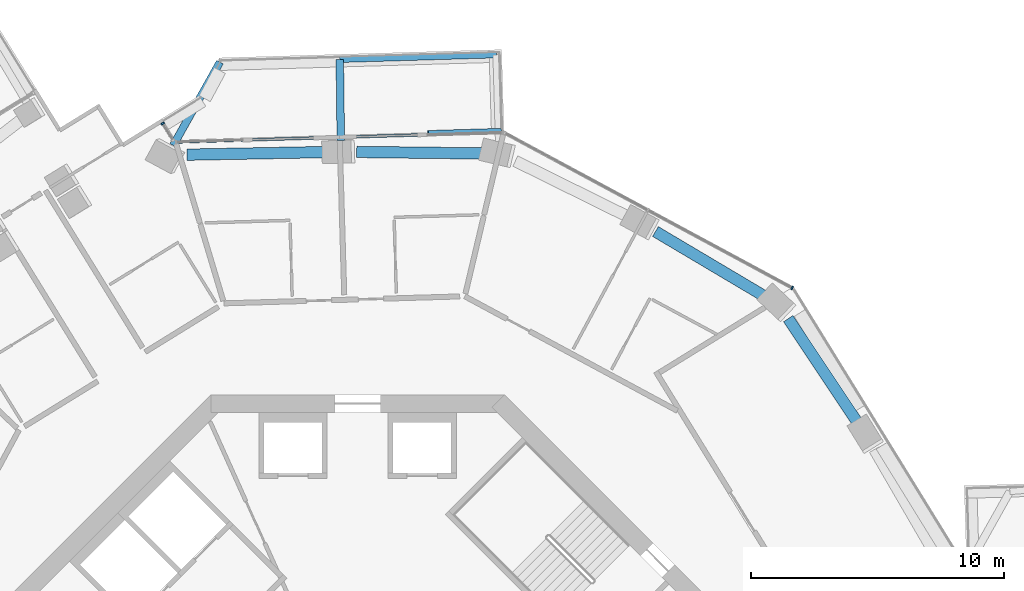
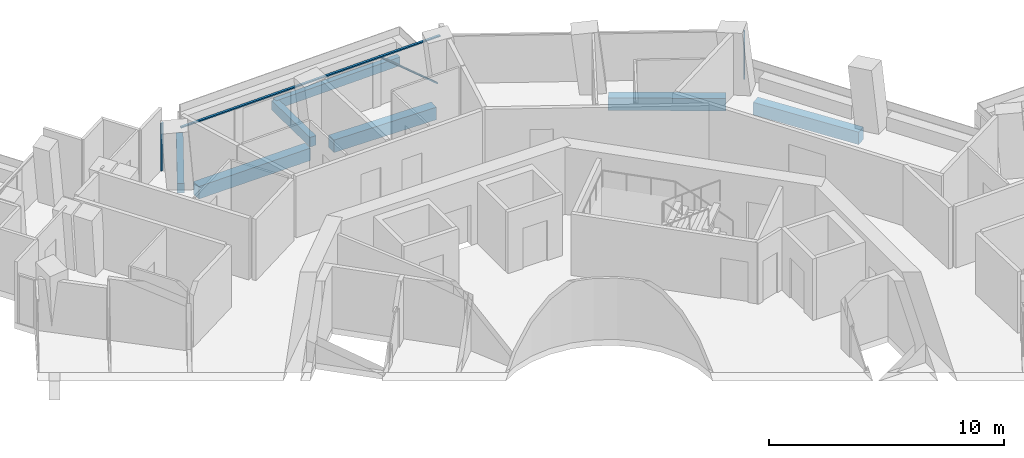
# One storey, part 8 of 22: 7 beams, 4 members, 3 elements without a shape of their own.
"""IFC4 building model written with IfcOpenShell, lengths in metres."""

import ifcopenshell
import ifcopenshell.guid

model = None  # the IFC model being written
_history = None  # IfcOwnerHistory: only IFC2X3 demands one
_inside = {}  # id of a spatial element -> (the spatial element, [elements in it])
_under = {}  # id of a project, library or spatial element -> (it, [spatial elements below it])
_declared = {}  # id of a project -> (the project, [libraries it declares])
_typed = {}  # id of a type object -> (the type object, [elements of that type])
_made_of = {}  # id of a material, layer set ... -> (it, [elements and type objects made of it])


def new_model(schema):
    """Start an empty IFC model of exactly this schema.

    Asked for "IFC4X3", IfcOpenShell would pick the latest addendum, in which some entities
    have other attributes; the version numbers below select the first issue.
    IFC2X3 requires an IfcOwnerHistory on every rooted entity: one is made here for all.
    """
    global model, _history
    if schema == "IFC4X3":
        model = ifcopenshell.file(schema_version=(4, 3, 0, 0))
    else:
        model = ifcopenshell.file(schema=schema)
    _inside.clear()
    _under.clear()
    _declared.clear()
    _typed.clear()
    _made_of.clear()
    _history = None
    if model.schema == "IFC2X3":
        org = make("IfcOrganization", Name="unknown")
        user = make(
            "IfcPersonAndOrganization",
            ThePerson=make("IfcPerson", FamilyName="unknown"),
            TheOrganization=org,
        )
        app = make(
            "IfcApplication",
            ApplicationDeveloper=org,
            Version="unknown",
            ApplicationFullName="unknown",
            ApplicationIdentifier="unknown",
        )
        _history = make(
            "IfcOwnerHistory",
            OwningUser=user,
            OwningApplication=app,
            ChangeAction="ADDED",
            CreationDate=0,
        )
    return model


def make(cls, **values):
    """One entity of the class cls with the attributes given. An attribute that is None is left unset."""
    return model.create_entity(
        cls, **{name: value for name, value in values.items() if value is not None}
    )


def rooted(cls, **values):
    """An entity with a GlobalId (a new one), such as an element, a storey or a relation."""
    return make(cls, GlobalId=ifcopenshell.guid.new(), OwnerHistory=_history, **values)


def si_unit(unit_type, name, prefix=None):
    """IfcSIUnit, for example si_unit("LENGTHUNIT", "METRE", prefix="MILLI")."""
    return make("IfcSIUnit", UnitType=unit_type, Prefix=prefix, Name=name)


def assignment(units):
    """IfcUnitAssignment: the units of a project."""
    return None if units is None else make("IfcUnitAssignment", Units=units)


def point(xyz):
    """IfcCartesianPoint."""
    return None if xyz is None else make("IfcCartesianPoint", Coordinates=xyz)


def direction(xyz):
    """IfcDirection."""
    return None if xyz is None else make("IfcDirection", DirectionRatios=xyz)


def frame(location, z_axis=None, x_axis=None):
    """IfcAxis2Placement3D, a coordinate frame: its origin and axes. An axis left out is left unset."""
    return make(
        "IfcAxis2Placement3D",
        Location=point(location),
        Axis=direction(z_axis),
        RefDirection=direction(x_axis),
    )


def frame_2d(location, x_axis=None):
    """IfcAxis2Placement2D, a coordinate frame in the plane: its origin and x axis."""
    return make(
        "IfcAxis2Placement2D", Location=point(location), RefDirection=direction(x_axis)
    )


def origin():
    """The frame at (0, 0, 0) with its axes left unset."""
    return frame((0.0, 0.0, 0.0))


def origin_2d():
    """The frame at (0, 0) in the plane with its x axis left unset."""
    return frame_2d((0.0, 0.0))


def place(relative_to, where):
    """IfcLocalPlacement: puts the frame where relative to a parent placement (None: the world)."""
    return make(
        "IfcLocalPlacement", PlacementRelTo=relative_to, RelativePlacement=where
    )


def context(
    kind, dimensions, precision=None, world=None, true_north=None, identifier=None
):
    """IfcGeometricRepresentationContext, for example the 3D "Model" context."""
    return make(
        "IfcGeometricRepresentationContext",
        ContextIdentifier=identifier,
        ContextType=kind,
        CoordinateSpaceDimension=dimensions,
        Precision=precision,
        WorldCoordinateSystem=world,
        TrueNorth=true_north,
    )


def subcontext(parent, identifier, kind, view, scale=None):
    """IfcGeometricRepresentationSubContext, for example "Body" below "Model"."""
    return make(
        "IfcGeometricRepresentationSubContext",
        ContextIdentifier=identifier,
        ContextType=kind,
        ParentContext=parent,
        TargetScale=scale,
        TargetView=view,
    )


def project(units=None, contexts=None):
    """IfcProject with its units and contexts."""
    return rooted(
        "IfcProject",
        Name="project",
        RepresentationContexts=contexts,
        UnitsInContext=assignment(units),
    )


def spatial(cls, under=None, at=None, **own):
    """A site, building, storey or space (cls), placed at a placement, below another one or the project."""
    s = rooted(cls, ObjectPlacement=at, **own)
    if under is not None:
        _under.setdefault(under.id(), (under, []))[1].append(s)
    return s


def profile(cls, at=None, kind="AREA", **sizes):
    """A parametric profile (cls). Its sizes go by their IFC names, for example OverallWidth=200.0."""
    return make(cls, ProfileType=kind, Position=at, **sizes)


def rectangle(**sizes):
    """IfcRectangleProfileDef."""
    return profile("IfcRectangleProfileDef", **sizes)


def extrude(swept, where, along, depth):
    """IfcExtrudedAreaSolid: the profile swept, set in the frame where, extruded along a direction by depth."""
    return make(
        "IfcExtrudedAreaSolid",
        SweptArea=swept,
        Position=where,
        ExtrudedDirection=direction(along),
        Depth=depth,
    )


def shape(context_of_items, identifier, shape_type, items):
    """IfcShapeRepresentation: the items that make up one representation, for example the "Body"."""
    return make(
        "IfcShapeRepresentation",
        ContextOfItems=context_of_items,
        RepresentationIdentifier=identifier,
        RepresentationType=shape_type,
        Items=items,
    )


def material(Name=None, Category=None):
    """IfcMaterial."""
    return make("IfcMaterial", Name=Name, Category=Category)


def layer(
    of_material, thickness, ventilated=None, Name=None, Category=None, Priority=None
):
    """IfcMaterialLayer: one layer of a wall or slab, of a material (None: an air gap)."""
    return make(
        "IfcMaterialLayer",
        Material=of_material,
        LayerThickness=thickness,
        IsVentilated=ventilated,
        Name=Name,
        Category=Category,
        Priority=Priority,
    )


def layer_set(layers, Name=None):
    """IfcMaterialLayerSet."""
    return make("IfcMaterialLayerSet", MaterialLayers=layers, LayerSetName=Name)


def material_profile(
    of_material, cross_section, Name=None, Category=None, Priority=None
):
    """IfcMaterialProfile: a cross section and its material."""
    return make(
        "IfcMaterialProfile",
        Name=Name,
        Material=of_material,
        Profile=cross_section,
        Priority=Priority,
        Category=Category,
    )


def profile_set(profiles, Name=None, composite=None):
    """IfcMaterialProfileSet."""
    return make(
        "IfcMaterialProfileSet",
        Name=Name,
        MaterialProfiles=profiles,
        CompositeProfile=composite,
    )


def made_of(thing, what):
    """Note that an element or type object is made of a material, layer set ...; save() writes the relation."""
    if what is not None:
        _made_of.setdefault(what.id(), (what, []))[1].append(thing)
    return thing


def type_object(cls, material=None, **own):
    """A type object (cls), such as IfcWallType, which elements share."""
    return made_of(rooted(cls, **own), material)


def element(
    cls,
    number,
    at=None,
    inside=None,
    cuts=None,
    type_object=None,
    material=None,
    context=None,
    identifier="Body",
    shape_type=None,
    held_by="IfcProductDefinitionShape",
    body=None,
    shapes=None,
    **own,
):
    """One element of the class cls, such as IfcWall. Its Tag is "e" and its number.

    at: its placement. inside: the storey or other place that contains it. cuts: it is an
    opening in that element (IfcRelVoidsElement). A single representation is given by context,
    identifier, shape_type and body (its items); several are given by shapes. held_by: the class
    of the entity that holds the representations. save() writes the other relations.
    """
    e = rooted(cls, Tag="e%d" % number, ObjectPlacement=at, **own)
    if body is not None:
        shapes = [shape(context, identifier, shape_type, body)]
    if shapes is not None:
        e.Representation = make(held_by, Representations=shapes)
    if inside is not None:
        _inside.setdefault(inside.id(), (inside, []))[1].append(e)
    if cuts is not None:
        rooted(
            "IfcRelVoidsElement", RelatingBuildingElement=cuts, RelatedOpeningElement=e
        )
    if type_object is not None:
        _typed.setdefault(type_object.id(), (type_object, []))[1].append(e)
    return made_of(e, material)


def aggregate(whole, parts):
    """IfcRelAggregates: a whole, such as a stair, and the parts it consists of."""
    return rooted("IfcRelAggregates", RelatingObject=whole, RelatedObjects=parts)


def save(model, path):
    """Write the relations noted so far, then the file.

    IfcRelAggregates (storeys below a building ...), IfcRelContainedInSpatialStructure (elements
    in a storey), IfcRelDefinesByType, IfcRelAssociatesMaterial and IfcRelDeclares: one each for
    every whole, place, type object, material and project.
    """
    for whole, parts in _under.values():
        aggregate(whole, parts)
    for where, things in _inside.values():
        rooted(
            "IfcRelContainedInSpatialStructure",
            RelatedElements=things,
            RelatingStructure=where,
        )
    for kind, things in _typed.values():
        rooted("IfcRelDefinesByType", RelatedObjects=things, RelatingType=kind)
    for what, things in _made_of.values():
        rooted("IfcRelAssociatesMaterial", RelatedObjects=things, RelatingMaterial=what)
    for by, libraries in _declared.values():
        rooted("IfcRelDeclares", RelatingContext=by, RelatedDefinitions=libraries)
    model.write(path)


model = new_model("IFC4")

# Units and contexts
model_context = context("Model", 3, precision=1e-05, world=origin(), true_north=direction((0.0, 1.0)))
body_context = subcontext(model_context, "Body", "Model", "MODEL_VIEW")
ifc_project = project(units=[si_unit("LENGTHUNIT", "METRE"), si_unit("AREAUNIT", "SQUARE_METRE"), si_unit("VOLUMEUNIT", "CUBIC_METRE"), si_unit("PLANEANGLEUNIT", "RADIAN"), si_unit("MASSUNIT", "GRAM", prefix="KILO")], contexts=[model_context])

# Site, building, storey
site_placement = place(None, origin())
site = spatial("IfcSite", under=ifc_project, at=site_placement, CompositionType="ELEMENT")
building_placement = place(site_placement, origin())
building = spatial("IfcBuilding", under=site, at=building_placement, Name="Verdalira Terraces Hotel", CompositionType="ELEMENT")
storey_placement = place(building_placement, frame((0.0, 0.0, 162.0)))
storey = spatial("IfcBuildingStorey", under=building, at=storey_placement, Name="L39", CompositionType="ELEMENT", Elevation=162.0)

# Beams
ifc_material_1 = material(Name="Concrete C40", Category="concrete")
ifc_material_profile_1 = material_profile(ifc_material_1, rectangle(XDim=0.300049, YDim=0.5, at=origin_2d()), Name="RC 300X500")
ifc_profile_set_1 = profile_set([ifc_material_profile_1], Name="Concrete C40")
beam_type_1 = type_object("IfcBeamType", Name="Balcony cantilever beam RC 300X500 C40", PredefinedType="BEAM", material=ifc_profile_set_1)
beam_1_placement = place(storey_placement, frame((-7.281982, 23.85083, -0.560059), z_axis=(0.489064743, 0.872247486, 0.0), x_axis=(-0.872247486, 0.489064743, 0.0)))
element("IfcBeam", 1, at=beam_1_placement, inside=storey, type_object=beam_type_1, Name="Balcony cantilever beam R41-1", PredefinedType="BEAM", context=body_context, shape_type="SweptSolid", body=[
    extrude(rectangle(XDim=0.300049, YDim=0.5, at=origin_2d()), origin(), (0.0, 0.0, 1.0), 3.77002),
])
beam_2_placement = place(storey_placement, frame((-0.662842, 24.048828, -0.560059), z_axis=(-0.012508556, 0.999921765, 0.0), x_axis=(-0.999921765, -0.012508556, 0.0)))
element("IfcBeam", 2, at=beam_2_placement, inside=storey, type_object=beam_type_1, Name="Balcony cantilever beam R41-3", PredefinedType="BEAM", context=body_context, shape_type="SweptSolid", body=[
    extrude(rectangle(XDim=0.300049, YDim=0.5, at=origin_2d()), origin(), (0.0, 0.0, 1.0), 3.200928),
])
ifc_material_2 = material(Name="Concrete C40", Category="concrete")
ifc_material_profile_2 = material_profile(ifc_material_2, rectangle(XDim=0.25, YDim=0.449951, at=origin_2d()), Name="RC 250X450")
ifc_profile_set_2 = profile_set([ifc_material_profile_2], Name="Concrete C40")
beam_type_2 = type_object("IfcBeamType", Name="Balcony edge beam RC 250X450 C40", PredefinedType="BEAM", material=ifc_profile_set_2)
beam_3_placement = place(storey_placement, frame((5.494385, 27.431152, -0.534912), z_axis=(-0.999570744, -0.02929722, 0.0), x_axis=(0.02929722, -0.999570744, 0.0)))
element("IfcBeam", 3, at=beam_3_placement, inside=storey, type_object=beam_type_2, Name="Balcony edge beam R41-1", PredefinedType="BEAM", context=body_context, shape_type="SweptSolid", body=[
    extrude(rectangle(XDim=0.25, YDim=0.449951, at=origin_2d()), origin(), (0.0, 0.0, 1.0), 6.199951),
])

# Curtain wall, member
ifc_material_3 = material(Name="Clear glass", Category="glass")
ifc_layer_1 = layer(ifc_material_3, 0.14990234375)
ifc_layer_set_1 = layer_set([ifc_layer_1], Name="CW1 curtain wall")
curtain_wall_type_1 = type_object("IfcCurtainWallType", Name="CW1 curtain wall", PredefinedType="NOTDEFINED", material=ifc_layer_set_1)
curtain_wall_1_placement = place(storey_placement, origin())
curtain_wall_1 = element("IfcCurtainWall", 4, at=curtain_wall_1_placement, inside=storey, type_object=curtain_wall_type_1, Name="CW1 curtain wall L39 edge 40", PredefinedType="NOTDEFINED")
ifc_material_4 = material(Name="Terracotta frame", Category="masonry")
ifc_material_profile_3 = material_profile(ifc_material_4, rectangle(XDim=0.060059, YDim=0.149902, at=origin_2d()), Name="MU 60x150")
ifc_profile_set_3 = profile_set([ifc_material_profile_3], Name="Terracotta frame")
member_type_1 = type_object("IfcMemberType", Name="CW1 mullion 60x150", PredefinedType="MULLION", material=ifc_profile_set_3)
member_1_placement = place(storey_placement, frame((17.167969, 18.219482, 0.0), z_axis=(0.0, 0.0, 1.0), x_axis=(-0.880311812, 0.474395525, 0.0)))
member_1 = element("IfcMember", 5, at=member_1_placement, type_object=member_type_1, Name="CW1 mullion", PredefinedType="MULLION", context=body_context, shape_type="SweptSolid", body=[
    extrude(rectangle(XDim=0.060059, YDim=0.149902, at=origin_2d()), origin(), (0.0, 0.0, 1.0), 2.475098),
])
aggregate(curtain_wall_1, [member_1])

curtain_wall_2_placement = place(storey_placement, origin())
curtain_wall_2 = element("IfcCurtainWall", 6, at=curtain_wall_2_placement, inside=storey, type_object=curtain_wall_type_1, Name="CW1 curtain wall L39 edge 41", PredefinedType="NOTDEFINED")
ifc_material_5 = material(Name="Terracotta frame", Category="masonry")
ifc_material_profile_4 = material_profile(ifc_material_5, rectangle(XDim=0.110107, YDim=0.064941, at=origin_2d()), Name="TR 65x110")
ifc_profile_set_4 = profile_set([ifc_material_profile_4], Name="Terracotta frame")
member_type_2 = type_object("IfcMemberType", Name="CW1 transom 65x110", PredefinedType="USERDEFINED", material=ifc_profile_set_4)
member_2_placement = place(storey_placement, frame((5.748047, 24.362305, 2.507568), z_axis=(-0.999570307, -0.029312139, 0.0), x_axis=(0.029312139, -0.999570307, 0.0)))
member_2 = element("IfcMember", 7, at=member_2_placement, type_object=member_type_2, Name="CW1 transom", ObjectType="TRANSOM", PredefinedType="USERDEFINED", context=body_context, shape_type="SweptSolid", body=[
    extrude(rectangle(XDim=0.110107, YDim=0.064941, at=origin_2d()), origin(), (0.0, 0.0, 1.0), 12.959961),
])

ifc_material_6 = material(Name="Clear glass", Category="glass")
ifc_layer_2 = layer(ifc_material_6, 0.14990234375)
ifc_layer_set_2 = layer_set([ifc_layer_2], Name="CW2 curtain wall")
curtain_wall_type_2 = type_object("IfcCurtainWallType", Name="CW2 curtain wall", PredefinedType="NOTDEFINED", material=ifc_layer_set_2)
curtain_wall_3_placement = place(storey_placement, origin())
curtain_wall_3 = element("IfcCurtainWall", 8, at=curtain_wall_3_placement, inside=storey, type_object=curtain_wall_type_2, Name="CW2 curtain wall L39 edge 0", PredefinedType="NOTDEFINED")
ifc_material_7 = material(Name="Terracotta frame", Category="masonry")
ifc_material_profile_5 = material_profile(ifc_material_7, rectangle(XDim=0.070068, YDim=0.149902, at=origin_2d()), Name="MU 70x150")
ifc_profile_set_5 = profile_set([ifc_material_profile_5], Name="Terracotta frame")
member_type_3 = type_object("IfcMemberType", Name="CW2 mullion 70x150", PredefinedType="MULLION", material=ifc_profile_set_5)
member_3_placement = place(storey_placement, frame((-7.700195, 24.711426, 0.0), z_axis=(0.0, 0.0, 1.0), x_axis=(-0.52517463, 0.850994482, 0.0)))
member_3 = element("IfcMember", 9, at=member_3_placement, type_object=member_type_3, Name="CW2 mullion", PredefinedType="MULLION", context=body_context, shape_type="SweptSolid", body=[
    extrude(rectangle(XDim=0.070068, YDim=0.149902, at=origin_2d()), origin(), (0.0, 0.0, 1.0), 2.475098),
])
aggregate(curtain_wall_3, [member_3])

# Member
ifc_material_8 = material(Name="Terracotta frame", Category="masonry")
ifc_material_profile_6 = material_profile(ifc_material_8, rectangle(XDim=0.149902, YDim=0.060059, at=origin_2d()), Name="GB 60x150")
ifc_profile_set_6 = profile_set([ifc_material_profile_6], Name="Terracotta frame")
member_type_4 = type_object("IfcMemberType", Name="Diagonal glazing bar 60x150", PredefinedType="USERDEFINED", material=ifc_profile_set_6)
member_4_placement = place(storey_placement, frame((5.656982, 24.44873, 0.02417), z_axis=(-0.76302427, -0.022420865, 0.645980857), x_axis=(0.029371532, -0.999568563, 0.0)))
member_4 = element("IfcMember", 10, at=member_4_placement, type_object=member_type_4, Name="Diagonal glazing bar", ObjectType="GLAZING BAR", PredefinedType="USERDEFINED", context=body_context, shape_type="SweptSolid", body=[
    extrude(rectangle(XDim=0.149902, YDim=0.060059, at=origin_2d()), origin(), (0.0, 0.0, 1.0), 3.756592),
])

aggregate(curtain_wall_2, [member_2, member_4])

# Beams
ifc_material_9 = material(Name="Concrete C50", Category="concrete")
ifc_material_profile_7 = material_profile(ifc_material_9, rectangle(XDim=0.449951, YDim=0.649902, at=origin_2d()), Name="RC 450X650")
ifc_profile_set_7 = profile_set([ifc_material_profile_7], Name="Concrete C50")
beam_type_3 = type_object("IfcBeamType", Name="Spandrel beam RC 450X650 C50", PredefinedType="SPANDREL", material=ifc_profile_set_7)
beam_4_placement = place(storey_placement, frame((19.796143, 12.834229, -0.63501), z_axis=(-0.554880028, 0.831930379, 0.0), x_axis=(-0.831930379, -0.554880028, 0.0)))
element("IfcBeam", 11, at=beam_4_placement, inside=storey, type_object=beam_type_3, Name="Spandrel beam B19", PredefinedType="SPANDREL", context=body_context, shape_type="SweptSolid", body=[
    extrude(rectangle(XDim=0.449951, YDim=0.649902, at=origin_2d()), origin(), (0.0, 0.0, 1.0), 5.012451),
])
for number, where, z_axis, x_axis, name in (
    (12, (16.079346, 17.889404, -0.63501), (-0.859944214, 0.510388038, 0.0), (-0.510388038, -0.859944214, 0.0), "Spandrel beam B20"),
    (13, (4.980713, 23.532227, -0.63501), (-0.999927718, 0.012023277, 0.0), (-0.012023277, -0.999927718, 0.0), "Spandrel beam B22"),
):
    element("IfcBeam", number, at=place(storey_placement, frame(where, z_axis=z_axis, x_axis=x_axis)), inside=storey, type_object=beam_type_3, Name=name, PredefinedType="SPANDREL", context=body_context, shape_type="SweptSolid", body=[
        extrude(rectangle(XDim=0.449951, YDim=0.649902, at=origin_2d()), origin(), (0.0, 0.0, 1.0), 5.015381),
    ])
beam_5_placement = place(storey_placement, frame((-1.198242, 23.588623, -0.63501), z_axis=(-0.999819927, -0.018976677, 0.0), x_axis=(0.018976677, -0.999819927, 0.0)))
element("IfcBeam", 14, at=beam_5_placement, inside=storey, type_object=beam_type_3, Name="Spandrel beam B23", PredefinedType="SPANDREL", context=body_context, shape_type="SweptSolid", body=[
    extrude(rectangle(XDim=0.449951, YDim=0.649902, at=origin_2d()), origin(), (0.0, 0.0, 1.0), 5.544922),
])

save(model, "model.ifc")
